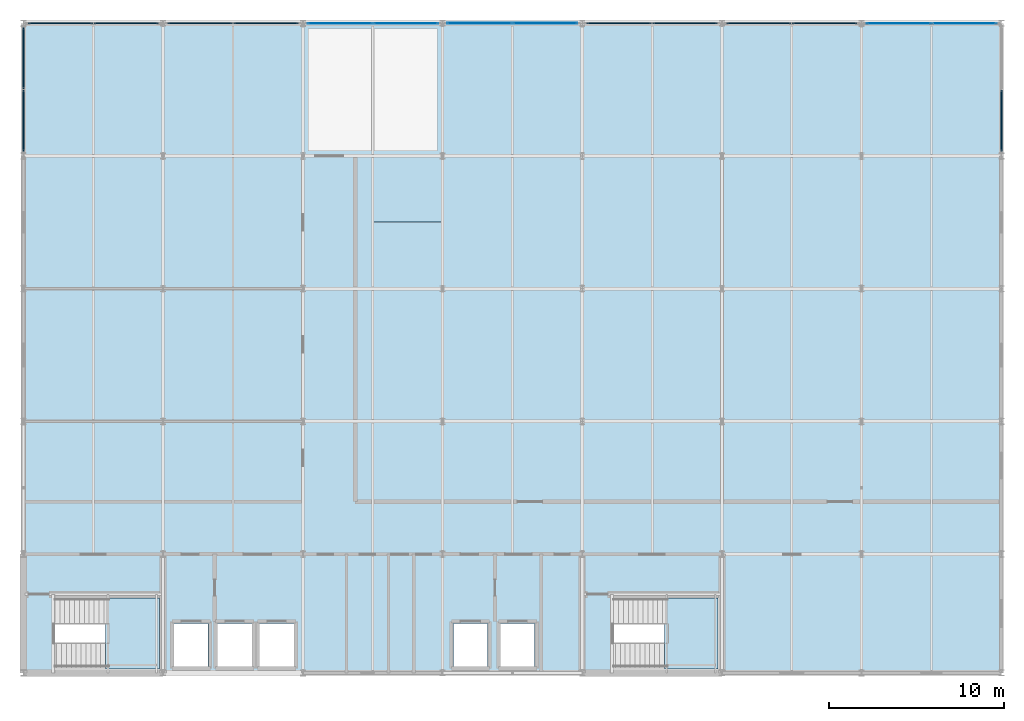
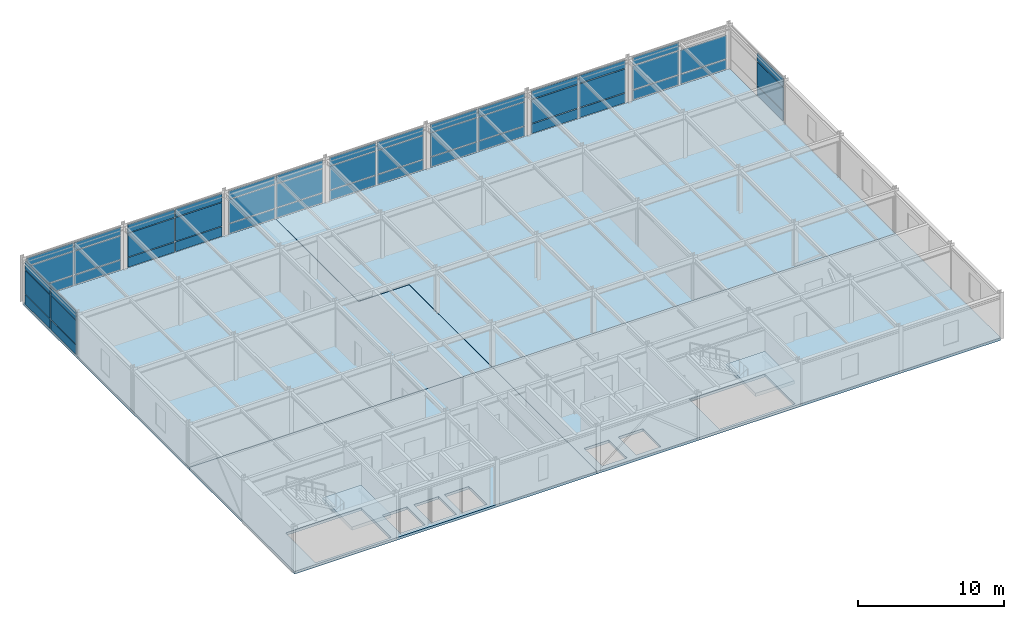
# One storey, part 12 of 16: 50 plates, 6 slabs, 11 elements without a shape of their own.
"""IFC4 building model written with IfcOpenShell, lengths in metres."""

import ifcopenshell
import ifcopenshell.guid

model = None  # the IFC model being written
_history = None  # IfcOwnerHistory: only IFC2X3 demands one
_inside = {}  # id of a spatial element -> (the spatial element, [elements in it])
_under = {}  # id of a project, library or spatial element -> (it, [spatial elements below it])
_declared = {}  # id of a project -> (the project, [libraries it declares])
_typed = {}  # id of a type object -> (the type object, [elements of that type])
_made_of = {}  # id of a material, layer set ... -> (it, [elements and type objects made of it])


def new_model(schema):
    """Start an empty IFC model of exactly this schema.

    Asked for "IFC4X3", IfcOpenShell would pick the latest addendum, in which some entities
    have other attributes; the version numbers below select the first issue.
    IFC2X3 requires an IfcOwnerHistory on every rooted entity: one is made here for all.
    """
    global model, _history
    if schema == "IFC4X3":
        model = ifcopenshell.file(schema_version=(4, 3, 0, 0))
    else:
        model = ifcopenshell.file(schema=schema)
    _inside.clear()
    _under.clear()
    _declared.clear()
    _typed.clear()
    _made_of.clear()
    _history = None
    if model.schema == "IFC2X3":
        org = make("IfcOrganization", Name="unknown")
        user = make(
            "IfcPersonAndOrganization",
            ThePerson=make("IfcPerson", FamilyName="unknown"),
            TheOrganization=org,
        )
        app = make(
            "IfcApplication",
            ApplicationDeveloper=org,
            Version="unknown",
            ApplicationFullName="unknown",
            ApplicationIdentifier="unknown",
        )
        _history = make(
            "IfcOwnerHistory",
            OwningUser=user,
            OwningApplication=app,
            ChangeAction="ADDED",
            CreationDate=0,
        )
    return model


def make(cls, **values):
    """One entity of the class cls with the attributes given. An attribute that is None is left unset."""
    return model.create_entity(
        cls, **{name: value for name, value in values.items() if value is not None}
    )


def rooted(cls, **values):
    """An entity with a GlobalId (a new one), such as an element, a storey or a relation."""
    return make(cls, GlobalId=ifcopenshell.guid.new(), OwnerHistory=_history, **values)


def si_unit(unit_type, name, prefix=None):
    """IfcSIUnit, for example si_unit("LENGTHUNIT", "METRE", prefix="MILLI")."""
    return make("IfcSIUnit", UnitType=unit_type, Prefix=prefix, Name=name)


def assignment(units):
    """IfcUnitAssignment: the units of a project."""
    return None if units is None else make("IfcUnitAssignment", Units=units)


def point(xyz):
    """IfcCartesianPoint."""
    return None if xyz is None else make("IfcCartesianPoint", Coordinates=xyz)


def direction(xyz):
    """IfcDirection."""
    return None if xyz is None else make("IfcDirection", DirectionRatios=xyz)


def frame(location, z_axis=None, x_axis=None):
    """IfcAxis2Placement3D, a coordinate frame: its origin and axes. An axis left out is left unset."""
    return make(
        "IfcAxis2Placement3D",
        Location=point(location),
        Axis=direction(z_axis),
        RefDirection=direction(x_axis),
    )


def frame_2d(location, x_axis=None):
    """IfcAxis2Placement2D, a coordinate frame in the plane: its origin and x axis."""
    return make(
        "IfcAxis2Placement2D", Location=point(location), RefDirection=direction(x_axis)
    )


def origin():
    """The frame at (0, 0, 0) with its axes left unset."""
    return frame((0.0, 0.0, 0.0))


def origin_2d():
    """The frame at (0, 0) in the plane with its x axis left unset."""
    return frame_2d((0.0, 0.0))


def place(relative_to, where):
    """IfcLocalPlacement: puts the frame where relative to a parent placement (None: the world)."""
    return make(
        "IfcLocalPlacement", PlacementRelTo=relative_to, RelativePlacement=where
    )


def context(
    kind, dimensions, precision=None, world=None, true_north=None, identifier=None
):
    """IfcGeometricRepresentationContext, for example the 3D "Model" context."""
    return make(
        "IfcGeometricRepresentationContext",
        ContextIdentifier=identifier,
        ContextType=kind,
        CoordinateSpaceDimension=dimensions,
        Precision=precision,
        WorldCoordinateSystem=world,
        TrueNorth=true_north,
    )


def subcontext(parent, identifier, kind, view, scale=None):
    """IfcGeometricRepresentationSubContext, for example "Body" below "Model"."""
    return make(
        "IfcGeometricRepresentationSubContext",
        ContextIdentifier=identifier,
        ContextType=kind,
        ParentContext=parent,
        TargetScale=scale,
        TargetView=view,
    )


def project(units=None, contexts=None):
    """IfcProject with its units and contexts."""
    return rooted(
        "IfcProject",
        Name="project",
        RepresentationContexts=contexts,
        UnitsInContext=assignment(units),
    )


def spatial(cls, under=None, at=None, **own):
    """A site, building, storey or space (cls), placed at a placement, below another one or the project."""
    s = rooted(cls, ObjectPlacement=at, **own)
    if under is not None:
        _under.setdefault(under.id(), (under, []))[1].append(s)
    return s


def polyline(points):
    """IfcPolyline through the points."""
    return make("IfcPolyline", Points=[point(p) for p in points])


def profile(cls, at=None, kind="AREA", **sizes):
    """A parametric profile (cls). Its sizes go by their IFC names, for example OverallWidth=200.0."""
    return make(cls, ProfileType=kind, Position=at, **sizes)


def rectangle(**sizes):
    """IfcRectangleProfileDef."""
    return profile("IfcRectangleProfileDef", **sizes)


def outline(outer, holes=None, kind="AREA"):
    """IfcArbitraryClosedProfileDef: a profile drawn as a closed curve; with holes, ...WithVoids."""
    if holes is None:
        return make("IfcArbitraryClosedProfileDef", ProfileType=kind, OuterCurve=outer)
    return make(
        "IfcArbitraryProfileDefWithVoids",
        ProfileType=kind,
        OuterCurve=outer,
        InnerCurves=holes,
    )


def extrude(swept, where, along, depth):
    """IfcExtrudedAreaSolid: the profile swept, set in the frame where, extruded along a direction by depth."""
    return make(
        "IfcExtrudedAreaSolid",
        SweptArea=swept,
        Position=where,
        ExtrudedDirection=direction(along),
        Depth=depth,
    )


def shape(context_of_items, identifier, shape_type, items):
    """IfcShapeRepresentation: the items that make up one representation, for example the "Body"."""
    return make(
        "IfcShapeRepresentation",
        ContextOfItems=context_of_items,
        RepresentationIdentifier=identifier,
        RepresentationType=shape_type,
        Items=items,
    )


def material(Name=None, Category=None):
    """IfcMaterial."""
    return make("IfcMaterial", Name=Name, Category=Category)


def layer(
    of_material, thickness, ventilated=None, Name=None, Category=None, Priority=None
):
    """IfcMaterialLayer: one layer of a wall or slab, of a material (None: an air gap)."""
    return make(
        "IfcMaterialLayer",
        Material=of_material,
        LayerThickness=thickness,
        IsVentilated=ventilated,
        Name=Name,
        Category=Category,
        Priority=Priority,
    )


def layer_set(layers, Name=None):
    """IfcMaterialLayerSet."""
    return make("IfcMaterialLayerSet", MaterialLayers=layers, LayerSetName=Name)


def made_of(thing, what):
    """Note that an element or type object is made of a material, layer set ...; save() writes the relation."""
    if what is not None:
        _made_of.setdefault(what.id(), (what, []))[1].append(thing)
    return thing


def type_object(cls, material=None, **own):
    """A type object (cls), such as IfcWallType, which elements share."""
    return made_of(rooted(cls, **own), material)


def element(
    cls,
    number,
    at=None,
    inside=None,
    cuts=None,
    type_object=None,
    material=None,
    context=None,
    identifier="Body",
    shape_type=None,
    held_by="IfcProductDefinitionShape",
    body=None,
    shapes=None,
    **own,
):
    """One element of the class cls, such as IfcWall. Its Tag is "e" and its number.

    at: its placement. inside: the storey or other place that contains it. cuts: it is an
    opening in that element (IfcRelVoidsElement). A single representation is given by context,
    identifier, shape_type and body (its items); several are given by shapes. held_by: the class
    of the entity that holds the representations. save() writes the other relations.
    """
    e = rooted(cls, Tag="e%d" % number, ObjectPlacement=at, **own)
    if body is not None:
        shapes = [shape(context, identifier, shape_type, body)]
    if shapes is not None:
        e.Representation = make(held_by, Representations=shapes)
    if inside is not None:
        _inside.setdefault(inside.id(), (inside, []))[1].append(e)
    if cuts is not None:
        rooted(
            "IfcRelVoidsElement", RelatingBuildingElement=cuts, RelatedOpeningElement=e
        )
    if type_object is not None:
        _typed.setdefault(type_object.id(), (type_object, []))[1].append(e)
    return made_of(e, material)


def aggregate(whole, parts):
    """IfcRelAggregates: a whole, such as a stair, and the parts it consists of."""
    return rooted("IfcRelAggregates", RelatingObject=whole, RelatedObjects=parts)


def save(model, path):
    """Write the relations noted so far, then the file.

    IfcRelAggregates (storeys below a building ...), IfcRelContainedInSpatialStructure (elements
    in a storey), IfcRelDefinesByType, IfcRelAssociatesMaterial and IfcRelDeclares: one each for
    every whole, place, type object, material and project.
    """
    for whole, parts in _under.values():
        aggregate(whole, parts)
    for where, things in _inside.values():
        rooted(
            "IfcRelContainedInSpatialStructure",
            RelatedElements=things,
            RelatingStructure=where,
        )
    for kind, things in _typed.values():
        rooted("IfcRelDefinesByType", RelatedObjects=things, RelatingType=kind)
    for what, things in _made_of.values():
        rooted("IfcRelAssociatesMaterial", RelatedObjects=things, RelatingMaterial=what)
    for by, libraries in _declared.values():
        rooted("IfcRelDeclares", RelatingContext=by, RelatedDefinitions=libraries)
    model.write(path)


model = new_model("IFC4")

# Units and contexts
model_context = context("Model", 3, precision=1e-05, world=origin(), true_north=direction((0.0, 1.0)))
body_context = subcontext(model_context, "Body", "Model", "MODEL_VIEW")
ifc_project = project(units=[si_unit("LENGTHUNIT", "METRE"), si_unit("AREAUNIT", "SQUARE_METRE"), si_unit("VOLUMEUNIT", "CUBIC_METRE"), si_unit("PLANEANGLEUNIT", "RADIAN"), si_unit("MASSUNIT", "GRAM", prefix="KILO")], contexts=[model_context])

# Site, building, storey
site_placement = place(None, origin())
site = spatial("IfcSite", under=ifc_project, at=site_placement, CompositionType="ELEMENT")
building_placement = place(site_placement, origin())
building = spatial("IfcBuilding", under=site, at=building_placement, Name="Shalkamar Park Central Library", CompositionType="ELEMENT")
storey_placement = place(building_placement, frame((0.0, 0.0, 43.800048828125)))
storey = spatial("IfcBuildingStorey", under=building, at=storey_placement, Name="L11", CompositionType="ELEMENT", Elevation=43.800048828125)

# Curtain wall, plates
ifc_material_1 = material(Name="Thermally broken aluminium and triple low-e curtain wall", Category="aluminium")
ifc_layer_1 = layer(ifc_material_1, 0.260009765625)
ifc_layer_set_1 = layer_set([ifc_layer_1], Name="UnitisedCurtainWall_80")
curtain_wall_type_1 = type_object("IfcCurtainWallType", Name="Unitised Curtain Wall 80", PredefinedType="USERDEFINED", material=ifc_layer_set_1)
curtain_wall_1_placement = place(storey_placement, origin())
curtain_wall_1 = element("IfcCurtainWall", 1, at=curtain_wall_1_placement, inside=storey, type_object=curtain_wall_type_1, Name="Unitised Curtain Wall CW-L11-128", ObjectType="UNITISED CURTAIN WALL", PredefinedType="USERDEFINED")
ifc_material_2 = material(Name="Triple-glazed solar-control glass", Category="glass")
ifc_layer_2 = layer(ifc_material_2, 0.031982421875)
ifc_layer_set_2 = layer_set([ifc_layer_2], Name="SolarControlVisionPanel_32")
plate_type_1 = type_object("IfcPlateType", Name="Solar Control Vision Panel 32", PredefinedType="CURTAIN_PANEL", material=ifc_layer_set_2)
plate_1_placement = place(storey_placement, frame((183.1171875, 285.60009765625, 0.059814453125), z_axis=(0.0, 0.0, 1.0), x_axis=(1.0, 0.0, 0.0)))
plate_1 = element("IfcPlate", 2, at=plate_1_placement, type_object=plate_type_1, Name="CW-80 panel 1.1", PredefinedType="CURTAIN_PANEL", context=body_context, shape_type="SweptSolid", body=[
    extrude(rectangle(XDim=3.699462890625, YDim=0.031982421875, at=origin_2d()), origin(), (0.0, 0.0, 1.0), 0.81005859375),
])
plate_2_placement = place(storey_placement, frame((183.1171875, 285.60009765625, 0.93017578125), z_axis=(0.0, 0.0, 1.0), x_axis=(1.0, 0.0, 0.0)))
plate_2 = element("IfcPlate", 3, at=plate_2_placement, type_object=plate_type_1, Name="CW-80 panel 1.2", PredefinedType="CURTAIN_PANEL", context=body_context, shape_type="SweptSolid", body=[
    extrude(rectangle(XDim=3.699462890625, YDim=0.031982421875, at=origin_2d()), origin(), (0.0, 0.0, 1.0), 1.969970703125),
])
plate_3_placement = place(storey_placement, frame((183.1171875, 285.60009765625, 2.9599609375), z_axis=(0.0, 0.0, 1.0), x_axis=(1.0, 0.0, 0.0)))
plate_3 = element("IfcPlate", 4, at=plate_3_placement, type_object=plate_type_1, Name="CW-80 panel 1.3", PredefinedType="CURTAIN_PANEL", context=body_context, shape_type="SweptSolid", body=[
    extrude(rectangle(XDim=3.699462890625, YDim=0.031982421875, at=origin_2d()), origin(), (0.0, 0.0, 1.0), 0.659912109375),
])
plate_4_placement = place(storey_placement, frame((186.891845703125, 285.60009765625, 0.059814453125), z_axis=(0.0, 0.0, 1.0), x_axis=(1.0, 0.0, 0.0)))
plate_4 = element("IfcPlate", 5, at=plate_4_placement, type_object=plate_type_1, Name="CW-80 panel 2.1", PredefinedType="CURTAIN_PANEL", context=body_context, shape_type="SweptSolid", body=[
    extrude(rectangle(XDim=3.699462890625, YDim=0.031982421875, at=origin_2d()), origin(), (0.0, 0.0, 1.0), 0.81005859375),
])
plate_5_placement = place(storey_placement, frame((186.891845703125, 285.60009765625, 0.93017578125), z_axis=(0.0, 0.0, 1.0), x_axis=(1.0, 0.0, 0.0)))
plate_5 = element("IfcPlate", 6, at=plate_5_placement, type_object=plate_type_1, Name="CW-80 panel 2.2", PredefinedType="CURTAIN_PANEL", context=body_context, shape_type="SweptSolid", body=[
    extrude(rectangle(XDim=3.699462890625, YDim=0.031982421875, at=origin_2d()), origin(), (0.0, 0.0, 1.0), 1.969970703125),
])
plate_6_placement = place(storey_placement, frame((186.891845703125, 285.60009765625, 2.9599609375), z_axis=(0.0, 0.0, 1.0), x_axis=(1.0, 0.0, 0.0)))
plate_6 = element("IfcPlate", 7, at=plate_6_placement, type_object=plate_type_1, Name="CW-80 panel 2.3", PredefinedType="CURTAIN_PANEL", context=body_context, shape_type="SweptSolid", body=[
    extrude(rectangle(XDim=3.699462890625, YDim=0.031982421875, at=origin_2d()), origin(), (0.0, 0.0, 1.0), 0.659912109375),
])
aggregate(curtain_wall_1, [plate_1, plate_2, plate_3, plate_4, plate_5, plate_6])

ifc_layer_3 = layer(ifc_material_1, 0.280029296875)
ifc_layer_set_3 = layer_set([ifc_layer_3], Name="UnitisedCurtainWall_78")
curtain_wall_type_2 = type_object("IfcCurtainWallType", Name="Unitised Curtain Wall 78", PredefinedType="USERDEFINED", material=ifc_layer_set_3)
curtain_wall_2_placement = place(storey_placement, origin())
curtain_wall_2 = element("IfcCurtainWall", 8, at=curtain_wall_2_placement, inside=storey, type_object=curtain_wall_type_2, Name="Unitised Curtain Wall CW-L11-132", ObjectType="UNITISED CURTAIN WALL", PredefinedType="USERDEFINED")
plate_7_placement = place(storey_placement, frame((215.12109375, 285.60009765625, 0.070068359375), z_axis=(0.0, 0.0, 1.0), x_axis=(1.0, 0.0, 0.0)))
plate_7 = element("IfcPlate", 9, at=plate_7_placement, type_object=plate_type_1, Name="CW-78 panel 1.1", PredefinedType="CURTAIN_PANEL", context=body_context, shape_type="SweptSolid", body=[
    extrude(rectangle(XDim=3.677001953125, YDim=0.031982421875, at=origin_2d()), origin(), (0.0, 0.0, 1.0), 0.794921875),
])
plate_8_placement = place(storey_placement, frame((215.12109375, 285.60009765625, 0.93505859375), z_axis=(0.0, 0.0, 1.0), x_axis=(1.0, 0.0, 0.0)))
plate_8 = element("IfcPlate", 10, at=plate_8_placement, type_object=plate_type_1, Name="CW-78 panel 1.2", PredefinedType="CURTAIN_PANEL", context=body_context, shape_type="SweptSolid", body=[
    extrude(rectangle(XDim=3.677001953125, YDim=0.031982421875, at=origin_2d()), origin(), (0.0, 0.0, 1.0), 1.9599609375),
])
plate_9_placement = place(storey_placement, frame((215.12109375, 285.60009765625, 2.96484375), z_axis=(0.0, 0.0, 1.0), x_axis=(1.0, 0.0, 0.0)))
plate_9 = element("IfcPlate", 11, at=plate_9_placement, type_object=plate_type_1, Name="CW-78 panel 1.3", PredefinedType="CURTAIN_PANEL", context=body_context, shape_type="SweptSolid", body=[
    extrude(rectangle(XDim=3.677001953125, YDim=0.031982421875, at=origin_2d()), origin(), (0.0, 0.0, 1.0), 0.64501953125),
])
plate_10_placement = place(storey_placement, frame((218.887939453125, 285.60009765625, 0.070068359375), z_axis=(0.0, 0.0, 1.0), x_axis=(1.0, 0.0, 0.0)))
plate_10 = element("IfcPlate", 12, at=plate_10_placement, type_object=plate_type_1, Name="CW-78 panel 2.1", PredefinedType="CURTAIN_PANEL", context=body_context, shape_type="SweptSolid", body=[
    extrude(rectangle(XDim=3.677001953125, YDim=0.031982421875, at=origin_2d()), origin(), (0.0, 0.0, 1.0), 0.794921875),
])
plate_11_placement = place(storey_placement, frame((218.887939453125, 285.60009765625, 0.93505859375), z_axis=(0.0, 0.0, 1.0), x_axis=(1.0, 0.0, 0.0)))
plate_11 = element("IfcPlate", 13, at=plate_11_placement, type_object=plate_type_1, Name="CW-78 panel 2.2", PredefinedType="CURTAIN_PANEL", context=body_context, shape_type="SweptSolid", body=[
    extrude(rectangle(XDim=3.677001953125, YDim=0.031982421875, at=origin_2d()), origin(), (0.0, 0.0, 1.0), 1.9599609375),
])
aggregate(curtain_wall_2, [plate_7, plate_8, plate_9, plate_10, plate_11])

ifc_layer_4 = layer(ifc_material_1, 0.25)
ifc_layer_set_4 = layer_set([ifc_layer_4], Name="UnitisedCurtainWall_79")
curtain_wall_type_3 = type_object("IfcCurtainWallType", Name="Unitised Curtain Wall 79", PredefinedType="USERDEFINED", material=ifc_layer_set_4)
curtain_wall_3_placement = place(storey_placement, origin())
curtain_wall_3 = element("IfcCurtainWall", 14, at=curtain_wall_3_placement, inside=storey, type_object=curtain_wall_type_3, Name="Unitised Curtain Wall CW-L11-127", ObjectType="UNITISED CURTAIN WALL", PredefinedType="USERDEFINED")
ifc_material_3 = material(Name="Insulated aluminium spandrel panel", Category="aluminium")
ifc_layer_5 = layer(ifc_material_3, 0.080078125)
ifc_layer_set_5 = layer_set([ifc_layer_5], Name="SpandrelShadowboxPanel_80")
plate_type_2 = type_object("IfcPlateType", Name="Spandrel Shadowbox Panel 80", PredefinedType="CURTAIN_PANEL", material=ifc_layer_set_5)
plate_12_placement = place(storey_placement, frame((175.108154296875, 285.60009765625, 0.059814453125), z_axis=(0.0, 0.0, 1.0), x_axis=(1.0, 0.0, 0.0)))
plate_12 = element("IfcPlate", 15, at=plate_12_placement, type_object=plate_type_2, Name="CW-79 panel 1.1", PredefinedType="CURTAIN_PANEL", context=body_context, shape_type="SweptSolid", body=[
    extrude(rectangle(XDim=3.699462890625, YDim=0.080078125, at=origin_2d()), origin(), (0.0, 0.0, 1.0), 0.81005859375),
])
plate_13_placement = place(storey_placement, frame((175.108154296875, 285.60009765625, 0.93017578125), z_axis=(0.0, 0.0, 1.0), x_axis=(1.0, 0.0, 0.0)))
plate_13 = element("IfcPlate", 16, at=plate_13_placement, type_object=plate_type_2, Name="CW-79 panel 1.2", PredefinedType="CURTAIN_PANEL", context=body_context, shape_type="SweptSolid", body=[
    extrude(rectangle(XDim=3.699462890625, YDim=0.080078125, at=origin_2d()), origin(), (0.0, 0.0, 1.0), 1.969970703125),
])
plate_14_placement = place(storey_placement, frame((175.108154296875, 285.60009765625, 2.9599609375), z_axis=(0.0, 0.0, 1.0), x_axis=(1.0, 0.0, 0.0)))
plate_14 = element("IfcPlate", 17, at=plate_14_placement, type_object=plate_type_2, Name="CW-79 panel 1.3", PredefinedType="CURTAIN_PANEL", context=body_context, shape_type="SweptSolid", body=[
    extrude(rectangle(XDim=3.699462890625, YDim=0.080078125, at=origin_2d()), origin(), (0.0, 0.0, 1.0), 0.659912109375),
])
plate_15_placement = place(storey_placement, frame((178.8828125, 285.60009765625, 0.059814453125), z_axis=(0.0, 0.0, 1.0), x_axis=(1.0, 0.0, 0.0)))
plate_15 = element("IfcPlate", 18, at=plate_15_placement, type_object=plate_type_2, Name="CW-79 panel 2.1", PredefinedType="CURTAIN_PANEL", context=body_context, shape_type="SweptSolid", body=[
    extrude(rectangle(XDim=3.699462890625, YDim=0.080078125, at=origin_2d()), origin(), (0.0, 0.0, 1.0), 0.81005859375),
])
plate_16_placement = place(storey_placement, frame((178.8828125, 285.60009765625, 0.93017578125), z_axis=(0.0, 0.0, 1.0), x_axis=(1.0, 0.0, 0.0)))
plate_16 = element("IfcPlate", 19, at=plate_16_placement, type_object=plate_type_2, Name="CW-79 panel 2.2", PredefinedType="CURTAIN_PANEL", context=body_context, shape_type="SweptSolid", body=[
    extrude(rectangle(XDim=3.699462890625, YDim=0.080078125, at=origin_2d()), origin(), (0.0, 0.0, 1.0), 1.969970703125),
])
plate_17_placement = place(storey_placement, frame((178.8828125, 285.60009765625, 2.9599609375), z_axis=(0.0, 0.0, 1.0), x_axis=(1.0, 0.0, 0.0)))
plate_17 = element("IfcPlate", 20, at=plate_17_placement, type_object=plate_type_2, Name="CW-79 panel 2.3", PredefinedType="CURTAIN_PANEL", context=body_context, shape_type="SweptSolid", body=[
    extrude(rectangle(XDim=3.699462890625, YDim=0.080078125, at=origin_2d()), origin(), (0.0, 0.0, 1.0), 0.659912109375),
])
aggregate(curtain_wall_3, [plate_12, plate_13, plate_14, plate_15, plate_16, plate_17])

ifc_layer_6 = layer(ifc_material_1, 0.264892578125)
ifc_layer_set_6 = layer_set([ifc_layer_6], Name="UnitisedCurtainWall_77")
curtain_wall_type_4 = type_object("IfcCurtainWallType", Name="Unitised Curtain Wall 77", PredefinedType="USERDEFINED", material=ifc_layer_set_6)
curtain_wall_4_placement = place(storey_placement, origin())
curtain_wall_4 = element("IfcCurtainWall", 21, at=curtain_wall_4_placement, inside=storey, type_object=curtain_wall_type_4, Name="Unitised Curtain Wall CW-L11-131", ObjectType="UNITISED CURTAIN WALL", PredefinedType="USERDEFINED")
plate_18_placement = place(storey_placement, frame((207.11083984375, 285.60009765625, 0.070068359375), z_axis=(0.0, 0.0, 1.0), x_axis=(1.0, 0.0, 0.0)))
plate_18 = element("IfcPlate", 22, at=plate_18_placement, type_object=plate_type_2, Name="CW-77 panel 1.1", PredefinedType="CURTAIN_PANEL", context=body_context, shape_type="SweptSolid", body=[
    extrude(rectangle(XDim=3.6845703125, YDim=0.080078125, at=origin_2d()), origin(), (0.0, 0.0, 1.0), 0.794921875),
])
plate_19_placement = place(storey_placement, frame((207.11083984375, 285.60009765625, 0.93505859375), z_axis=(0.0, 0.0, 1.0), x_axis=(1.0, 0.0, 0.0)))
plate_19 = element("IfcPlate", 23, at=plate_19_placement, type_object=plate_type_2, Name="CW-77 panel 1.2", PredefinedType="CURTAIN_PANEL", context=body_context, shape_type="SweptSolid", body=[
    extrude(rectangle(XDim=3.6845703125, YDim=0.080078125, at=origin_2d()), origin(), (0.0, 0.0, 1.0), 1.9599609375),
])
plate_20_placement = place(storey_placement, frame((207.11083984375, 285.60009765625, 2.96484375), z_axis=(0.0, 0.0, 1.0), x_axis=(1.0, 0.0, 0.0)))
plate_20 = element("IfcPlate", 24, at=plate_20_placement, type_object=plate_type_2, Name="CW-77 panel 1.3", PredefinedType="CURTAIN_PANEL", context=body_context, shape_type="SweptSolid", body=[
    extrude(rectangle(XDim=3.6845703125, YDim=0.080078125, at=origin_2d()), origin(), (0.0, 0.0, 1.0), 0.64501953125),
])
plate_21_placement = place(storey_placement, frame((210.88037109375, 285.60009765625, 0.070068359375), z_axis=(0.0, 0.0, 1.0), x_axis=(1.0, 0.0, 0.0)))
plate_21 = element("IfcPlate", 25, at=plate_21_placement, type_object=plate_type_2, Name="CW-77 panel 2.1", PredefinedType="CURTAIN_PANEL", context=body_context, shape_type="SweptSolid", body=[
    extrude(rectangle(XDim=3.6845703125, YDim=0.080078125, at=origin_2d()), origin(), (0.0, 0.0, 1.0), 0.794921875),
])
plate_22_placement = place(storey_placement, frame((210.88037109375, 285.60009765625, 0.93505859375), z_axis=(0.0, 0.0, 1.0), x_axis=(1.0, 0.0, 0.0)))
plate_22 = element("IfcPlate", 26, at=plate_22_placement, type_object=plate_type_2, Name="CW-77 panel 2.2", PredefinedType="CURTAIN_PANEL", context=body_context, shape_type="SweptSolid", body=[
    extrude(rectangle(XDim=3.6845703125, YDim=0.080078125, at=origin_2d()), origin(), (0.0, 0.0, 1.0), 1.9599609375),
])
plate_23_placement = place(storey_placement, frame((210.88037109375, 285.60009765625, 2.96484375), z_axis=(0.0, 0.0, 1.0), x_axis=(1.0, 0.0, 0.0)))
plate_23 = element("IfcPlate", 27, at=plate_23_placement, type_object=plate_type_2, Name="CW-77 panel 2.3", PredefinedType="CURTAIN_PANEL", context=body_context, shape_type="SweptSolid", body=[
    extrude(rectangle(XDim=3.6845703125, YDim=0.080078125, at=origin_2d()), origin(), (0.0, 0.0, 1.0), 0.64501953125),
])
aggregate(curtain_wall_4, [plate_18, plate_19, plate_20, plate_21, plate_22, plate_23])

ifc_layer_7 = layer(ifc_material_1, 0.25)
ifc_layer_set_7 = layer_set([ifc_layer_7], Name="UnitisedCurtainWall_82")
curtain_wall_type_5 = type_object("IfcCurtainWallType", Name="Unitised Curtain Wall 82", PredefinedType="USERDEFINED", material=ifc_layer_set_7)
curtain_wall_5_placement = place(storey_placement, origin())
curtain_wall_5 = element("IfcCurtainWall", 28, at=curtain_wall_5_placement, inside=storey, type_object=curtain_wall_type_5, Name="Unitised Curtain Wall CW-L11-133", ObjectType="UNITISED CURTAIN WALL", PredefinedType="USERDEFINED")
plate_24_placement = place(storey_placement, frame((165.0, 280.014892578125, 0.059814453125), z_axis=(0.0, 0.0, 1.0), x_axis=(0.0, 1.0, 0.0)))
plate_24 = element("IfcPlate", 29, at=plate_24_placement, type_object=plate_type_2, Name="CW-82 panel 1.1", PredefinedType="CURTAIN_PANEL", context=body_context, shape_type="SweptSolid", body=[
    extrude(rectangle(XDim=3.4951171875, YDim=0.080078125, at=origin_2d()), origin(), (0.0, 0.0, 1.0), 0.81005859375),
])
plate_25_placement = place(storey_placement, frame((165.0, 280.014892578125, 0.93017578125), z_axis=(0.0, 0.0, 1.0), x_axis=(0.0, 1.0, 0.0)))
plate_25 = element("IfcPlate", 30, at=plate_25_placement, type_object=plate_type_2, Name="CW-82 panel 1.2", PredefinedType="CURTAIN_PANEL", context=body_context, shape_type="SweptSolid", body=[
    extrude(rectangle(XDim=3.4951171875, YDim=0.080078125, at=origin_2d()), origin(), (0.0, 0.0, 1.0), 1.969970703125),
])
plate_26_placement = place(storey_placement, frame((165.0, 280.014892578125, 2.9599609375), z_axis=(0.0, 0.0, 1.0), x_axis=(0.0, 1.0, 0.0)))
plate_26 = element("IfcPlate", 31, at=plate_26_placement, type_object=plate_type_2, Name="CW-82 panel 1.3", PredefinedType="CURTAIN_PANEL", context=body_context, shape_type="SweptSolid", body=[
    extrude(rectangle(XDim=3.4951171875, YDim=0.080078125, at=origin_2d()), origin(), (0.0, 0.0, 1.0), 0.659912109375),
])
plate_27_placement = place(storey_placement, frame((165.0, 283.5849609375, 0.059814453125), z_axis=(0.0, 0.0, 1.0), x_axis=(0.0, 1.0, 0.0)))
plate_27 = element("IfcPlate", 32, at=plate_27_placement, type_object=plate_type_2, Name="CW-82 panel 2.1", PredefinedType="CURTAIN_PANEL", context=body_context, shape_type="SweptSolid", body=[
    extrude(rectangle(XDim=3.4951171875, YDim=0.080078125, at=origin_2d()), origin(), (0.0, 0.0, 1.0), 0.81005859375),
])
plate_28_placement = place(storey_placement, frame((165.0, 283.5849609375, 0.93017578125), z_axis=(0.0, 0.0, 1.0), x_axis=(0.0, 1.0, 0.0)))
plate_28 = element("IfcPlate", 33, at=plate_28_placement, type_object=plate_type_2, Name="CW-82 panel 2.2", PredefinedType="CURTAIN_PANEL", context=body_context, shape_type="SweptSolid", body=[
    extrude(rectangle(XDim=3.4951171875, YDim=0.080078125, at=origin_2d()), origin(), (0.0, 0.0, 1.0), 1.969970703125),
])
plate_29_placement = place(storey_placement, frame((165.0, 283.5849609375, 2.9599609375), z_axis=(0.0, 0.0, 1.0), x_axis=(0.0, 1.0, 0.0)))
plate_29 = element("IfcPlate", 34, at=plate_29_placement, type_object=plate_type_2, Name="CW-82 panel 2.3", PredefinedType="CURTAIN_PANEL", context=body_context, shape_type="SweptSolid", body=[
    extrude(rectangle(XDim=3.4951171875, YDim=0.080078125, at=origin_2d()), origin(), (0.0, 0.0, 1.0), 0.659912109375),
])
aggregate(curtain_wall_5, [plate_24, plate_25, plate_26, plate_27, plate_28, plate_29])

curtain_wall_6_placement = place(storey_placement, origin())
curtain_wall_6 = element("IfcCurtainWall", 35, at=curtain_wall_6_placement, inside=storey, type_object=curtain_wall_type_5, Name="Unitised Curtain Wall CW-L11-134", ObjectType="UNITISED CURTAIN WALL", PredefinedType="USERDEFINED")
plate_30_placement = place(storey_placement, frame((221.0, 280.010498046875, 0.059814453125), z_axis=(0.0, 0.0, 1.0), x_axis=(0.0, 1.0, 0.0)))
plate_30 = element("IfcPlate", 36, at=plate_30_placement, type_object=plate_type_2, Name="CW-82 panel 1.1", PredefinedType="CURTAIN_PANEL", context=body_context, shape_type="SweptSolid", body=[
    extrude(rectangle(XDim=3.50390625, YDim=0.080078125, at=origin_2d()), origin(), (0.0, 0.0, 1.0), 0.81005859375),
])
plate_31_placement = place(storey_placement, frame((221.0, 280.010498046875, 0.93017578125), z_axis=(0.0, 0.0, 1.0), x_axis=(0.0, 1.0, 0.0)))
plate_31 = element("IfcPlate", 37, at=plate_31_placement, type_object=plate_type_2, Name="CW-82 panel 1.2", PredefinedType="CURTAIN_PANEL", context=body_context, shape_type="SweptSolid", body=[
    extrude(rectangle(XDim=3.50390625, YDim=0.080078125, at=origin_2d()), origin(), (0.0, 0.0, 1.0), 1.969970703125),
])
plate_32_placement = place(storey_placement, frame((221.0, 280.010498046875, 2.9599609375), z_axis=(0.0, 0.0, 1.0), x_axis=(0.0, 1.0, 0.0)))
plate_32 = element("IfcPlate", 38, at=plate_32_placement, type_object=plate_type_2, Name="CW-82 panel 1.3", PredefinedType="CURTAIN_PANEL", context=body_context, shape_type="SweptSolid", body=[
    extrude(rectangle(XDim=3.50390625, YDim=0.080078125, at=origin_2d()), origin(), (0.0, 0.0, 1.0), 0.659912109375),
])
aggregate(curtain_wall_6, [plate_30, plate_31, plate_32])

# Stair, slab
ifc_material_4 = material(Name="Concrete C35/45", Category="concrete")
stair_type = type_object("IfcStairType", Name="Protected Dog Leg Stair 150x390", PredefinedType="TWO_STRAIGHT_RUN_STAIR", material=ifc_material_4)
stair_1_placement = place(storey_placement, origin())
stair_1 = element("IfcStair", 39, at=stair_1_placement, inside=storey, type_object=stair_type, Name="Protected Core Stair ST-T1-L11", PredefinedType="TWO_STRAIGHT_RUN_STAIR")
ifc_layer_8 = layer(ifc_material_4, 0.280029296875)
ifc_layer_set_8 = layer_set([ifc_layer_8], Name="Concrete C35/45")
slab_type_1 = type_object("IfcSlabType", Name="Stair Landing Slab 160", PredefinedType="LANDING", material=ifc_layer_set_8)
slab_1_placement = place(storey_placement, frame((0.0, 0.0, 1.669921875)))
slab_1 = element("IfcSlab", 40, at=slab_1_placement, type_object=slab_type_1, Name="ST-T1-L11 landing 1", PredefinedType="LANDING", context=body_context, shape_type="SweptSolid", body=[
    extrude(outline(polyline([(169.699951171875, 248.6201171875), (172.780029296875, 248.6201171875), (172.780029296875, 252.679931640625), (169.699951171875, 252.679931640625), (169.699951171875, 248.6201171875)])), origin(), (0.0, 0.0, 1.0), 0.280029296875),
])
aggregate(stair_1, [slab_1])

stair_2_placement = place(storey_placement, origin())
stair_2 = element("IfcStair", 41, at=stair_2_placement, inside=storey, type_object=stair_type, Name="Protected Core Stair ST-T2-L11", PredefinedType="TWO_STRAIGHT_RUN_STAIR")
slab_2_placement = place(storey_placement, frame((0.0, 0.0, 1.669921875)))
slab_2 = element("IfcSlab", 42, at=slab_2_placement, type_object=slab_type_1, Name="ST-T2-L11 landing 1", PredefinedType="LANDING", context=body_context, shape_type="SweptSolid", body=[
    extrude(outline(polyline([(201.699951171875, 248.6201171875), (204.780029296875, 248.6201171875), (204.780029296875, 252.679931640625), (201.699951171875, 252.679931640625), (201.699951171875, 248.6201171875)])), origin(), (0.0, 0.0, 1.0), 0.280029296875),
])
aggregate(stair_2, [slab_2])

# Slabs
ifc_layer_9 = layer(ifc_material_4, 0.219970703125)
ifc_layer_set_9 = layer_set([ifc_layer_9], Name="Concrete C35/45")
slab_type_2 = type_object("IfcSlabType", Name="Suspended Floor Slab 220", PredefinedType="FLOOR", material=ifc_layer_set_9)
slab_3_placement = place(storey_placement, frame((0.0, 0.0, -0.219970703125)))
element("IfcSlab", 43, at=slab_3_placement, inside=storey, type_object=slab_type_2, Name="Level L11 Composite Floor Slab NW", PredefinedType="FLOOR", context=body_context, shape_type="SweptSolid", body=[
    extrude(outline(polyline([(165.0, 262.800048828125), (188.989990234375, 262.800048828125), (188.989990234375, 274.18994140625), (184.989990234375, 274.18994140625), (184.989990234375, 285.60009765625), (165.0, 285.60009765625), (165.0, 262.800048828125)])), origin(), (0.0, 0.0, 1.0), 0.219970703125),
])
slab_4_placement = place(storey_placement, frame((0.0, 0.0, -0.219970703125)))
element("IfcSlab", 44, at=slab_4_placement, inside=storey, type_object=slab_type_2, Name="Level L11 Composite Floor Slab NE", PredefinedType="FLOOR", context=body_context, shape_type="SweptSolid", body=[
    extrude(outline(polyline([(189.010009765625, 262.800048828125), (221.0, 262.800048828125), (221.0, 285.60009765625), (185.010009765625, 285.60009765625), (185.010009765625, 274.2099609375), (189.010009765625, 274.2099609375), (189.010009765625, 262.800048828125)])), origin(), (0.0, 0.0, 1.0), 0.219970703125),
])
slab_5_placement = place(storey_placement, frame((0.0, 0.0, -0.219970703125)))
element("IfcSlab", 45, at=slab_5_placement, inside=storey, type_object=slab_type_2, Name="Level L11 Composite Floor Slab SW", PredefinedType="FLOOR", context=body_context, shape_type="SweptSolid", body=[
    extrude(outline(polyline([(165.0, 248.39990234375), (165.0, 262.800048828125), (189.0, 262.800048828125), (189.0, 248.39990234375), (165.0, 248.39990234375)]), holes=[polyline([(173.6201171875, 248.77001953125), (175.580078125, 248.77001953125), (175.580078125, 251.22998046875), (173.6201171875, 251.22998046875), (173.6201171875, 248.77001953125)]), polyline([(176.1201171875, 251.22998046875), (176.1201171875, 248.77001953125), (178.080078125, 248.77001953125), (178.080078125, 251.22998046875), (176.1201171875, 251.22998046875)]), polyline([(178.52001953125, 251.22998046875), (178.52001953125, 248.77001953125), (180.47998046875, 248.77001953125), (180.47998046875, 251.22998046875), (178.52001953125, 251.22998046875)]), polyline([(166.800048828125, 252.699951171875), (166.800048828125, 248.60009765625), (172.800048828125, 248.60009765625), (172.800048828125, 252.699951171875), (166.800048828125, 252.699951171875)])]), origin(), (0.0, 0.0, 1.0), 0.219970703125),
])
slab_6_placement = place(storey_placement, frame((0.0, 0.0, -0.219970703125)))
element("IfcSlab", 46, at=slab_6_placement, inside=storey, type_object=slab_type_2, Name="Level L11 Composite Floor Slab SE", PredefinedType="FLOOR", context=body_context, shape_type="SweptSolid", body=[
    extrude(outline(polyline([(189.0, 248.39990234375), (189.0, 262.800048828125), (221.0, 262.800048828125), (221.0, 248.39990234375), (189.0, 248.39990234375)]), holes=[polyline([(189.6201171875, 251.22998046875), (189.6201171875, 248.77001953125), (191.580078125, 248.77001953125), (191.580078125, 251.22998046875), (189.6201171875, 251.22998046875)]), polyline([(192.320068359375, 251.22998046875), (192.320068359375, 248.77001953125), (194.280029296875, 248.77001953125), (194.280029296875, 251.22998046875), (192.320068359375, 251.22998046875)]), polyline([(198.800048828125, 252.699951171875), (198.800048828125, 248.60009765625), (204.800048828125, 248.60009765625), (204.800048828125, 252.699951171875), (198.800048828125, 252.699951171875)])]), origin(), (0.0, 0.0, 1.0), 0.219970703125),
])

# Curtain wall, plates
curtain_wall_7_placement = place(storey_placement, origin())
curtain_wall_7 = element("IfcCurtainWall", 47, at=curtain_wall_7_placement, inside=storey, type_object=curtain_wall_type_2, Name="Unitised Curtain Wall CW-L11-126", ObjectType="UNITISED CURTAIN WALL", PredefinedType="USERDEFINED")
ifc_material_5 = material(Name="Triple-glazed laminated glass", Category="glass")
ifc_layer_10 = layer(ifc_material_5, 0.06005859375)
ifc_layer_set_10 = layer_set([ifc_layer_10], Name="TripleGlazedPodiumPanel_60")
plate_type_3 = type_object("IfcPlateType", Name="Triple Glazed Podium Panel 60", PredefinedType="CURTAIN_PANEL", material=ifc_layer_set_10)
plate_33_placement = place(storey_placement, frame((167.12109375, 285.60009765625, 0.070068359375), z_axis=(0.0, 0.0, 1.0), x_axis=(1.0, 0.0, 0.0)))
plate_33 = element("IfcPlate", 48, at=plate_33_placement, type_object=plate_type_3, Name="CW-78 panel 1.1", PredefinedType="CURTAIN_PANEL", context=body_context, shape_type="SweptSolid", body=[
    extrude(rectangle(XDim=3.677001953125, YDim=0.06005859375, at=origin_2d()), origin(), (0.0, 0.0, 1.0), 0.794921875),
])
plate_34_placement = place(storey_placement, frame((167.12109375, 285.60009765625, 0.93505859375), z_axis=(0.0, 0.0, 1.0), x_axis=(1.0, 0.0, 0.0)))
plate_34 = element("IfcPlate", 49, at=plate_34_placement, type_object=plate_type_3, Name="CW-78 panel 1.2", PredefinedType="CURTAIN_PANEL", context=body_context, shape_type="SweptSolid", body=[
    extrude(rectangle(XDim=3.677001953125, YDim=0.06005859375, at=origin_2d()), origin(), (0.0, 0.0, 1.0), 1.9599609375),
])
plate_35_placement = place(storey_placement, frame((167.12109375, 285.60009765625, 2.96484375), z_axis=(0.0, 0.0, 1.0), x_axis=(1.0, 0.0, 0.0)))
plate_35 = element("IfcPlate", 50, at=plate_35_placement, type_object=plate_type_3, Name="CW-78 panel 1.3", PredefinedType="CURTAIN_PANEL", context=body_context, shape_type="SweptSolid", body=[
    extrude(rectangle(XDim=3.677001953125, YDim=0.06005859375, at=origin_2d()), origin(), (0.0, 0.0, 1.0), 0.64501953125),
])
plate_36_placement = place(storey_placement, frame((170.887939453125, 285.60009765625, 0.070068359375), z_axis=(0.0, 0.0, 1.0), x_axis=(1.0, 0.0, 0.0)))
plate_36 = element("IfcPlate", 51, at=plate_36_placement, type_object=plate_type_3, Name="CW-78 panel 2.1", PredefinedType="CURTAIN_PANEL", context=body_context, shape_type="SweptSolid", body=[
    extrude(rectangle(XDim=3.677001953125, YDim=0.06005859375, at=origin_2d()), origin(), (0.0, 0.0, 1.0), 0.794921875),
])
plate_37_placement = place(storey_placement, frame((170.887939453125, 285.60009765625, 0.93505859375), z_axis=(0.0, 0.0, 1.0), x_axis=(1.0, 0.0, 0.0)))
plate_37 = element("IfcPlate", 52, at=plate_37_placement, type_object=plate_type_3, Name="CW-78 panel 2.2", PredefinedType="CURTAIN_PANEL", context=body_context, shape_type="SweptSolid", body=[
    extrude(rectangle(XDim=3.677001953125, YDim=0.06005859375, at=origin_2d()), origin(), (0.0, 0.0, 1.0), 1.9599609375),
])
plate_38_placement = place(storey_placement, frame((170.887939453125, 285.60009765625, 2.96484375), z_axis=(0.0, 0.0, 1.0), x_axis=(1.0, 0.0, 0.0)))
plate_38 = element("IfcPlate", 53, at=plate_38_placement, type_object=plate_type_3, Name="CW-78 panel 2.3", PredefinedType="CURTAIN_PANEL", context=body_context, shape_type="SweptSolid", body=[
    extrude(rectangle(XDim=3.677001953125, YDim=0.06005859375, at=origin_2d()), origin(), (0.0, 0.0, 1.0), 0.64501953125),
])
aggregate(curtain_wall_7, [plate_33, plate_34, plate_35, plate_36, plate_37, plate_38])

ifc_layer_11 = layer(ifc_material_1, 0.27001953125)
ifc_layer_set_11 = layer_set([ifc_layer_11], Name="UnitisedCurtainWall_76")
curtain_wall_type_6 = type_object("IfcCurtainWallType", Name="Unitised Curtain Wall 76", PredefinedType="USERDEFINED", material=ifc_layer_set_11)
curtain_wall_8_placement = place(storey_placement, origin())
curtain_wall_8 = element("IfcCurtainWall", 54, at=curtain_wall_8_placement, inside=storey, type_object=curtain_wall_type_6, Name="Unitised Curtain Wall CW-L11-130", ObjectType="UNITISED CURTAIN WALL", PredefinedType="USERDEFINED")
plate_39_placement = place(storey_placement, frame((199.118408203125, 285.60009765625, 0.06494140625), z_axis=(0.0, 0.0, 1.0), x_axis=(1.0, 0.0, 0.0)))
plate_39 = element("IfcPlate", 55, at=plate_39_placement, type_object=plate_type_3, Name="CW-76 panel 1.1", PredefinedType="CURTAIN_PANEL", context=body_context, shape_type="SweptSolid", body=[
    extrude(rectangle(XDim=3.69189453125, YDim=0.06005859375, at=origin_2d()), origin(), (0.0, 0.0, 1.0), 0.802490234375),
])
plate_40_placement = place(storey_placement, frame((199.118408203125, 285.60009765625, 0.9326171875), z_axis=(0.0, 0.0, 1.0), x_axis=(1.0, 0.0, 0.0)))
plate_40 = element("IfcPlate", 56, at=plate_40_placement, type_object=plate_type_3, Name="CW-76 panel 1.2", PredefinedType="CURTAIN_PANEL", context=body_context, shape_type="SweptSolid", body=[
    extrude(rectangle(XDim=3.69189453125, YDim=0.06005859375, at=origin_2d()), origin(), (0.0, 0.0, 1.0), 1.965087890625),
])
plate_41_placement = place(storey_placement, frame((199.118408203125, 285.60009765625, 2.96240234375), z_axis=(0.0, 0.0, 1.0), x_axis=(1.0, 0.0, 0.0)))
plate_41 = element("IfcPlate", 57, at=plate_41_placement, type_object=plate_type_3, Name="CW-76 panel 1.3", PredefinedType="CURTAIN_PANEL", context=body_context, shape_type="SweptSolid", body=[
    extrude(rectangle(XDim=3.69189453125, YDim=0.06005859375, at=origin_2d()), origin(), (0.0, 0.0, 1.0), 0.652587890625),
])
plate_42_placement = place(storey_placement, frame((202.890380859375, 285.60009765625, 0.06494140625), z_axis=(0.0, 0.0, 1.0), x_axis=(1.0, 0.0, 0.0)))
plate_42 = element("IfcPlate", 58, at=plate_42_placement, type_object=plate_type_3, Name="CW-76 panel 2.1", PredefinedType="CURTAIN_PANEL", context=body_context, shape_type="SweptSolid", body=[
    extrude(rectangle(XDim=3.69189453125, YDim=0.06005859375, at=origin_2d()), origin(), (0.0, 0.0, 1.0), 0.802490234375),
])
plate_43_placement = place(storey_placement, frame((202.890380859375, 285.60009765625, 0.9326171875), z_axis=(0.0, 0.0, 1.0), x_axis=(1.0, 0.0, 0.0)))
plate_43 = element("IfcPlate", 59, at=plate_43_placement, type_object=plate_type_3, Name="CW-76 panel 2.2", PredefinedType="CURTAIN_PANEL", context=body_context, shape_type="SweptSolid", body=[
    extrude(rectangle(XDim=3.69189453125, YDim=0.06005859375, at=origin_2d()), origin(), (0.0, 0.0, 1.0), 1.965087890625),
])
plate_44_placement = place(storey_placement, frame((202.890380859375, 285.60009765625, 2.96240234375), z_axis=(0.0, 0.0, 1.0), x_axis=(1.0, 0.0, 0.0)))
plate_44 = element("IfcPlate", 60, at=plate_44_placement, type_object=plate_type_3, Name="CW-76 panel 2.3", PredefinedType="CURTAIN_PANEL", context=body_context, shape_type="SweptSolid", body=[
    extrude(rectangle(XDim=3.69189453125, YDim=0.06005859375, at=origin_2d()), origin(), (0.0, 0.0, 1.0), 0.652587890625),
])
aggregate(curtain_wall_8, [plate_39, plate_40, plate_41, plate_42, plate_43, plate_44])

ifc_layer_12 = layer(ifc_material_1, 0.2548828125)
ifc_layer_set_12 = layer_set([ifc_layer_12], Name="UnitisedCurtainWall_75")
curtain_wall_type_7 = type_object("IfcCurtainWallType", Name="Unitised Curtain Wall 75", PredefinedType="USERDEFINED", material=ifc_layer_set_12)
curtain_wall_9_placement = place(storey_placement, origin())
curtain_wall_9 = element("IfcCurtainWall", 61, at=curtain_wall_9_placement, inside=storey, type_object=curtain_wall_type_7, Name="Unitised Curtain Wall CW-L11-129", ObjectType="UNITISED CURTAIN WALL", PredefinedType="USERDEFINED")
ifc_material_6 = material(Name="Triple-glazed low-e safety glass", Category="glass")
ifc_layer_13 = layer(ifc_material_6, 0.0439453125)
ifc_layer_set_13 = layer_set([ifc_layer_13], Name="TripleGlazedVisionPanel_44")
plate_type_4 = type_object("IfcPlateType", Name="Triple Glazed Vision Panel 44", PredefinedType="CURTAIN_PANEL", material=ifc_layer_set_13)
plate_45_placement = place(storey_placement, frame((191.109619140625, 285.60009765625, 0.06494140625), z_axis=(0.0, 0.0, 1.0), x_axis=(1.0, 0.0, 0.0)))
plate_45 = element("IfcPlate", 62, at=plate_45_placement, type_object=plate_type_4, Name="CW-75 panel 1.1", PredefinedType="CURTAIN_PANEL", context=body_context, shape_type="SweptSolid", body=[
    extrude(rectangle(XDim=3.69189453125, YDim=0.0439453125, at=origin_2d()), origin(), (0.0, 0.0, 1.0), 0.802490234375),
])
plate_46_placement = place(storey_placement, frame((191.109619140625, 285.60009765625, 0.9326171875), z_axis=(0.0, 0.0, 1.0), x_axis=(1.0, 0.0, 0.0)))
plate_46 = element("IfcPlate", 63, at=plate_46_placement, type_object=plate_type_4, Name="CW-75 panel 1.2", PredefinedType="CURTAIN_PANEL", context=body_context, shape_type="SweptSolid", body=[
    extrude(rectangle(XDim=3.69189453125, YDim=0.0439453125, at=origin_2d()), origin(), (0.0, 0.0, 1.0), 1.965087890625),
])
plate_47_placement = place(storey_placement, frame((191.109619140625, 285.60009765625, 2.96240234375), z_axis=(0.0, 0.0, 1.0), x_axis=(1.0, 0.0, 0.0)))
plate_47 = element("IfcPlate", 64, at=plate_47_placement, type_object=plate_type_4, Name="CW-75 panel 1.3", PredefinedType="CURTAIN_PANEL", context=body_context, shape_type="SweptSolid", body=[
    extrude(rectangle(XDim=3.69189453125, YDim=0.0439453125, at=origin_2d()), origin(), (0.0, 0.0, 1.0), 0.652587890625),
])
plate_48_placement = place(storey_placement, frame((194.881591796875, 285.60009765625, 0.06494140625), z_axis=(0.0, 0.0, 1.0), x_axis=(1.0, 0.0, 0.0)))
plate_48 = element("IfcPlate", 65, at=plate_48_placement, type_object=plate_type_4, Name="CW-75 panel 2.1", PredefinedType="CURTAIN_PANEL", context=body_context, shape_type="SweptSolid", body=[
    extrude(rectangle(XDim=3.69189453125, YDim=0.0439453125, at=origin_2d()), origin(), (0.0, 0.0, 1.0), 0.802490234375),
])
plate_49_placement = place(storey_placement, frame((194.881591796875, 285.60009765625, 0.9326171875), z_axis=(0.0, 0.0, 1.0), x_axis=(1.0, 0.0, 0.0)))
plate_49 = element("IfcPlate", 66, at=plate_49_placement, type_object=plate_type_4, Name="CW-75 panel 2.2", PredefinedType="CURTAIN_PANEL", context=body_context, shape_type="SweptSolid", body=[
    extrude(rectangle(XDim=3.69189453125, YDim=0.0439453125, at=origin_2d()), origin(), (0.0, 0.0, 1.0), 1.965087890625),
])
plate_50_placement = place(storey_placement, frame((194.881591796875, 285.60009765625, 2.96240234375), z_axis=(0.0, 0.0, 1.0), x_axis=(1.0, 0.0, 0.0)))
plate_50 = element("IfcPlate", 67, at=plate_50_placement, type_object=plate_type_4, Name="CW-75 panel 2.3", PredefinedType="CURTAIN_PANEL", context=body_context, shape_type="SweptSolid", body=[
    extrude(rectangle(XDim=3.69189453125, YDim=0.0439453125, at=origin_2d()), origin(), (0.0, 0.0, 1.0), 0.652587890625),
])
aggregate(curtain_wall_9, [plate_45, plate_46, plate_47, plate_48, plate_49, plate_50])

save(model, "model.ifc")
